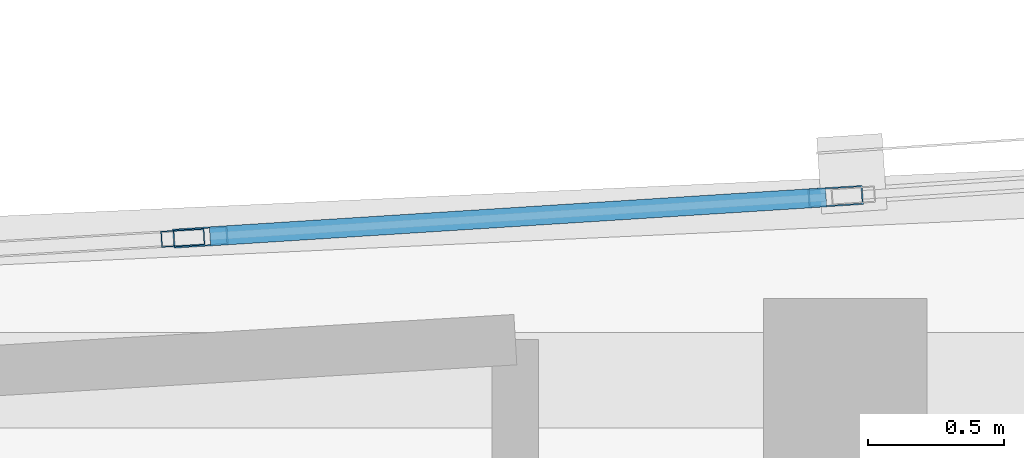
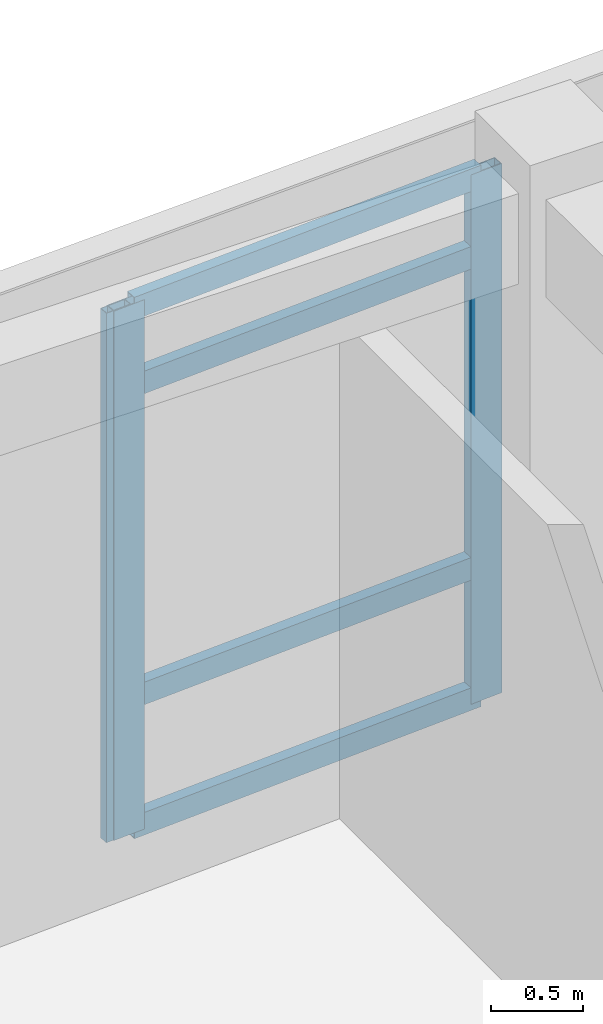
# One storey, part 36 of 113: 7 members, 2 elements without a shape of their own.
"""IFC4 building model written with IfcOpenShell, lengths in metres."""

from ifc_helpers import new_model, si_unit, direction, frame, origin, origin_2d, place, context, subcontext, project, spatial, hollow_rectangle, extrude, material, layer, layer_set, material_profile, profile_set, type_object, element, aggregate, save


model = new_model("IFC4")

# Units and contexts
model_context = context("Model", 3, precision=1e-05, world=origin(), true_north=direction((0.0, 1.0)))
body_context = subcontext(model_context, "Body", "Model", "MODEL_VIEW")
ifc_project = project(units=[si_unit("LENGTHUNIT", "METRE"), si_unit("AREAUNIT", "SQUARE_METRE"), si_unit("VOLUMEUNIT", "CUBIC_METRE"), si_unit("PLANEANGLEUNIT", "RADIAN"), si_unit("MASSUNIT", "GRAM", prefix="KILO")], contexts=[model_context])

# Site, building, storey
site_placement = place(None, origin())
site = spatial("IfcSite", under=ifc_project, at=site_placement, CompositionType="ELEMENT")
building_placement = place(site_placement, origin())
building = spatial("IfcBuilding", under=site, at=building_placement, Name="Carrowvane Square Congress Hotel", CompositionType="ELEMENT")
storey_placement = place(building_placement, frame((0.0, 0.0, 15.0)))
storey = spatial("IfcBuildingStorey", under=building, at=storey_placement, Name="L03", CompositionType="ELEMENT", Elevation=15.0)

# Curtain wall, member
ifc_material_1 = material(Name="Anodised aluminium", Category="aluminium")
ifc_layer_1 = layer(ifc_material_1, 0.18603515625)
ifc_layer_set_1 = layer_set([ifc_layer_1], Name="Anodised aluminium")
curtain_wall_type_1 = type_object("IfcCurtainWallType", Name="CW-SYS-3", PredefinedType="NOTDEFINED", material=ifc_layer_set_1)
curtain_wall_1_placement = place(storey_placement, origin())
curtain_wall_1 = element("IfcCurtainWall", 1, at=curtain_wall_1_placement, inside=storey, type_object=curtain_wall_type_1, Name="L03 unitised curtain wall 194", PredefinedType="NOTDEFINED")
ifc_material_2 = material(Name="Anodised aluminium", Category="aluminium")
ifc_material_profile_1 = material_profile(ifc_material_2, hollow_rectangle(XDim=0.06005859375, YDim=0.159912109375, WallThickness=0.00390625, at=origin_2d()), Name="CW-ML 60x160x4")
ifc_profile_set_1 = profile_set([ifc_material_profile_1], Name="Anodised aluminium")
member_type_1 = type_object("IfcMemberType", Name="CW-MUL-1", PredefinedType="MULLION", material=ifc_profile_set_1)
member_1_placement = place(storey_placement, frame((45.170166015625, 113.92138671875, 0.0), z_axis=(0.0, 0.0, 1.0), x_axis=(-0.058988522254, 0.99825866099, 0.0)))
member_1 = element("IfcMember", 2, at=member_1_placement, type_object=member_type_1, Name="CW-3 mullion 2", PredefinedType="MULLION", context=body_context, shape_type="SweptSolid", body=[
    extrude(hollow_rectangle(XDim=0.06005859375, YDim=0.159912109375, WallThickness=0.00390625, at=origin_2d()), origin(), (0.0, 0.0, 1.0), 3.515625),
])
aggregate(curtain_wall_1, [member_1])

# Curtain wall, members
ifc_material_3 = material(Name="Anodised aluminium", Category="aluminium")
ifc_layer_2 = layer(ifc_material_3, 0.197998046875)
ifc_layer_set_2 = layer_set([ifc_layer_2], Name="Anodised aluminium")
curtain_wall_type_2 = type_object("IfcCurtainWallType", Name="CW-SYS-4", PredefinedType="NOTDEFINED", material=ifc_layer_set_2)
curtain_wall_2_placement = place(storey_placement, origin())
curtain_wall_2 = element("IfcCurtainWall", 3, at=curtain_wall_2_placement, inside=storey, type_object=curtain_wall_type_2, Name="L03 unitised curtain wall 195", PredefinedType="NOTDEFINED")
ifc_material_4 = material(Name="Anodised aluminium", Category="aluminium")
ifc_material_profile_2 = material_profile(ifc_material_4, hollow_rectangle(XDim=0.070068359375, YDim=0.199951171875, WallThickness=0.0048828125, at=origin_2d()), Name="CW-ML 70x200x5")
ifc_profile_set_2 = profile_set([ifc_material_profile_2], Name="Anodised aluminium")
member_type_2 = type_object("IfcMemberType", Name="CW-MUL-2", PredefinedType="MULLION", material=ifc_profile_set_2)
member_2_placement = place(storey_placement, frame((45.23486328125, 113.92529296875, 0.0), z_axis=(0.0, 0.0, 1.0), x_axis=(-0.063273487972, 0.997996225303, 0.0)))
member_2 = element("IfcMember", 4, at=member_2_placement, type_object=member_type_2, Name="CW-4 mullion 1", PredefinedType="MULLION", context=body_context, shape_type="SweptSolid", body=[
    extrude(hollow_rectangle(XDim=0.070068359375, YDim=0.199951171875, WallThickness=0.0048828125, at=origin_2d()), origin(), (0.0, 0.0, 1.0), 3.515625),
])
member_3_placement = place(storey_placement, frame((47.56494140625, 114.0732421875, 0.0), z_axis=(0.0, 0.0, 1.0), x_axis=(-0.063273487972, 0.997996225303, 0.0)))
member_3 = element("IfcMember", 5, at=member_3_placement, type_object=member_type_2, Name="CW-4 mullion 2", PredefinedType="MULLION", context=body_context, shape_type="SweptSolid", body=[
    extrude(hollow_rectangle(XDim=0.070068359375, YDim=0.199951171875, WallThickness=0.0048828125, at=origin_2d()), origin(), (0.0, 0.0, 1.0), 3.515625),
])
ifc_material_5 = material(Name="Anodised aluminium", Category="aluminium")
ifc_material_profile_3 = material_profile(ifc_material_5, hollow_rectangle(XDim=0.070068359375, YDim=0.14990234375, WallThickness=0.0048828125, at=origin_2d()), Name="CW-TR 70x150x5")
ifc_profile_set_3 = profile_set([ifc_material_profile_3], Name="Anodised aluminium")
member_type_3 = type_object("IfcMemberType", Name="CW-TRN-2", PredefinedType="USERDEFINED", material=ifc_profile_set_3)
member_4_placement = place(storey_placement, frame((45.269775390625, 113.927490234375, 0.034912109375), z_axis=(0.997995967248, 0.063277558088, 0.0), x_axis=(-0.063277558088, 0.997995967248, 0.0)))
member_4 = element("IfcMember", 6, at=member_4_placement, type_object=member_type_3, Name="CW-4 transom 1.1", ObjectType="TRANSOM", PredefinedType="USERDEFINED", context=body_context, shape_type="SweptSolid", body=[
    extrude(hollow_rectangle(XDim=0.070068359375, YDim=0.14990234375, WallThickness=0.0048828125, at=origin_2d()), origin(), (0.0, 0.0, 1.0), 2.264892578125),
])
member_5_placement = place(storey_placement, frame((45.269775390625, 113.927490234375, 0.89990234375), z_axis=(0.997995967248, 0.063277558088, 0.0), x_axis=(-0.063277558088, 0.997995967248, 0.0)))
member_5 = element("IfcMember", 7, at=member_5_placement, type_object=member_type_3, Name="CW-4 transom 1.2", ObjectType="TRANSOM", PredefinedType="USERDEFINED", context=body_context, shape_type="SweptSolid", body=[
    extrude(hollow_rectangle(XDim=0.070068359375, YDim=0.14990234375, WallThickness=0.0048828125, at=origin_2d()), origin(), (0.0, 0.0, 1.0), 2.264892578125),
])
member_6_placement = place(storey_placement, frame((45.269775390625, 113.927490234375, 2.965576171875), z_axis=(0.997995967248, 0.063277558088, 0.0), x_axis=(-0.063277558088, 0.997995967248, 0.0)))
member_6 = element("IfcMember", 8, at=member_6_placement, type_object=member_type_3, Name="CW-4 transom 1.3", ObjectType="TRANSOM", PredefinedType="USERDEFINED", context=body_context, shape_type="SweptSolid", body=[
    extrude(hollow_rectangle(XDim=0.070068359375, YDim=0.14990234375, WallThickness=0.0048828125, at=origin_2d()), origin(), (0.0, 0.0, 1.0), 2.264892578125),
])
member_7_placement = place(storey_placement, frame((45.269775390625, 113.927490234375, 3.480712890625), z_axis=(0.997995967248, 0.063277558088, 0.0), x_axis=(-0.063277558088, 0.997995967248, 0.0)))
member_7 = element("IfcMember", 9, at=member_7_placement, type_object=member_type_3, Name="CW-4 transom 1.4", ObjectType="TRANSOM", PredefinedType="USERDEFINED", context=body_context, shape_type="SweptSolid", body=[
    extrude(hollow_rectangle(XDim=0.070068359375, YDim=0.14990234375, WallThickness=0.0048828125, at=origin_2d()), origin(), (0.0, 0.0, 1.0), 2.264892578125),
])
aggregate(curtain_wall_2, [member_2, member_3, member_4, member_5, member_6, member_7])

save(model, "model.ifc")
